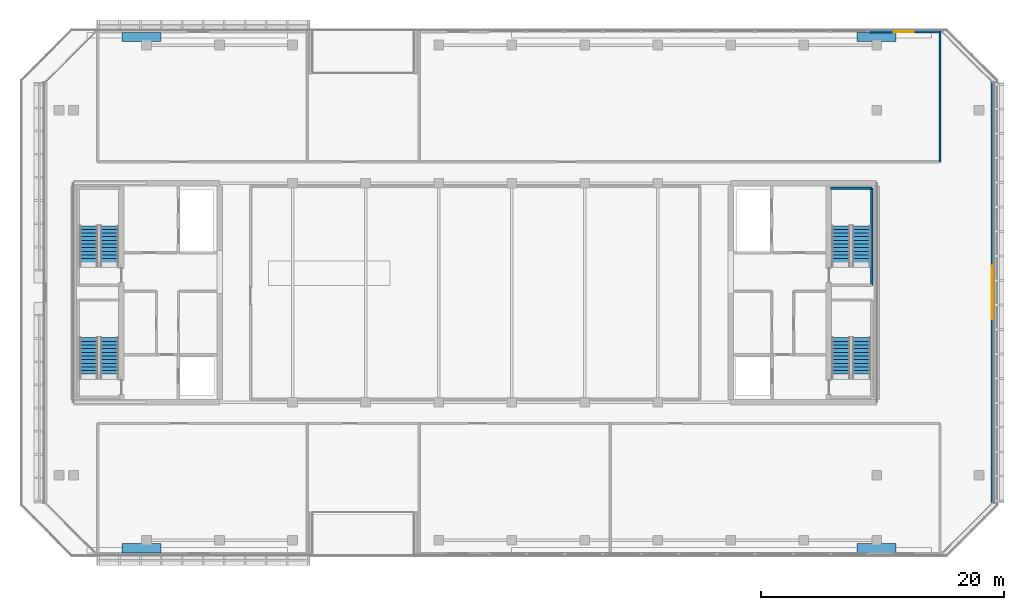
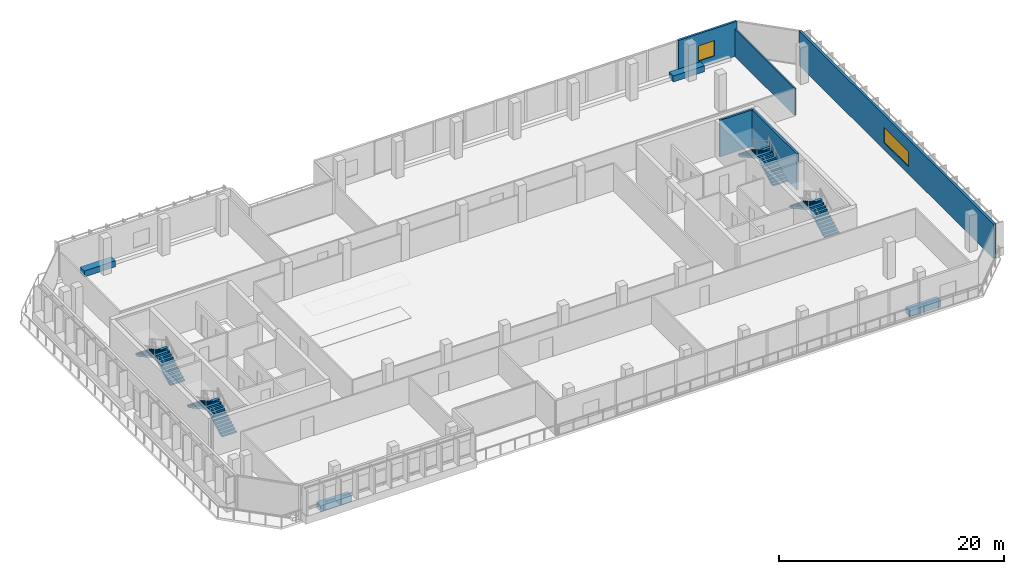
# One storey, part 22 of 26: 8 stair flights, 5 walls, 4 discrete accessories, 2 windows, 2 openings, 4 elements without a shape of their own.
"""IFC4 building model written with IfcOpenShell, lengths in metres."""

from ifc_helpers import new_model, si_unit, direction, frame, frame_2d, origin, origin_2d, place, context, subcontext, project, spatial, polyline, rectangle, outline, extrude, material, layer, layer_set, type_object, element, fill, aggregate, save


model = new_model("IFC4")

# Units and contexts
model_context = context("Model", 3, precision=1e-05, world=origin(), true_north=direction((0.0, 1.0)))
body_context = subcontext(model_context, "Body", "Model", "MODEL_VIEW")
ifc_project = project(units=[si_unit("LENGTHUNIT", "METRE"), si_unit("AREAUNIT", "SQUARE_METRE"), si_unit("VOLUMEUNIT", "CUBIC_METRE"), si_unit("PLANEANGLEUNIT", "RADIAN"), si_unit("MASSUNIT", "GRAM", prefix="KILO")], contexts=[model_context])

# Site, building, storey
site_placement = place(None, origin())
site = spatial("IfcSite", under=ifc_project, at=site_placement, CompositionType="ELEMENT")
building_placement = place(site_placement, origin())
building = spatial("IfcBuilding", under=site, at=building_placement, Name="Tanjung Sevakor Pilgrim Tower", CompositionType="ELEMENT")
storey_placement = place(building_placement, frame((0.0, 0.0, 177.8701171875)))
storey = spatial("IfcBuildingStorey", under=building, at=storey_placement, Name="L49", CompositionType="ELEMENT", Elevation=177.8701171875)

# Wall
ifc_material_1 = material(Name="Concrete C40/50", Category="concrete")
ifc_layer_1 = layer(ifc_material_1, 0.14990234375)
ifc_layer_set_1 = layer_set([ifc_layer_1], Name="WT-COMP-150")
wall_type_1 = type_object("IfcWallType", Name="WT-COMP-150", PredefinedType="SOLIDWALL", material=ifc_layer_set_1)
wall_1_placement = place(storey_placement, frame((95.199951171875, 44.35009765625, 0.0), z_axis=(0.0, 0.0, 1.0), x_axis=(0.0, 1.0, 0.0)))
element("IfcWall", 1, at=wall_1_placement, inside=storey, type_object=wall_type_1, Name="L49 Partition IW-L49-032", PredefinedType="SOLIDWALL", context=body_context, shape_type="SweptSolid", body=[
    extrude(rectangle(XDim=10.699951171875, YDim=0.14990234375, at=frame_2d((5.35009765625, 0.0))), origin(), (0.0, 0.0, 1.0), 2.9599609375),
])

# Wall, opening, window
ifc_material_2 = material(Name="Precast concrete C45/55", Category="concrete")
ifc_layer_2 = layer(ifc_material_2, 0.219970703125)
ifc_layer_set_2 = layer_set([ifc_layer_2], Name="WT-EW-STN4")
wall_type_2 = type_object("IfcWallType", Name="WT-EW-STN4", PredefinedType="SOLIDWALL", material=ifc_layer_set_2)
wall_2_placement = place(storey_placement, frame((99.489990234375, 16.295654296875, 0.0), z_axis=(0.0, 0.0, 1.0), x_axis=(0.0, 1.0, 0.0)))
wall_2 = element("IfcWall", 2, at=wall_2_placement, inside=storey, type_object=wall_type_2, Name="L49 MAIN Exterior Wall 7", PredefinedType="SOLIDWALL", context=body_context, shape_type="SweptSolid", body=[
    extrude(rectangle(XDim=34.608642578125, YDim=0.219970703125, at=frame_2d((17.30419921875, 0.0))), origin(), (0.0, 0.0, 1.0), 3.739990234375),
])
opening_1_placement = place(wall_2_placement, frame((15.1044921875, 0.0, 0.780029296875)))
opening_1 = element("IfcOpeningElement", 3, at=opening_1_placement, cuts=wall_2, Name="Opening WN-ENDW-1660", PredefinedType="OPENING", context=body_context, shape_type="SweptSolid", body=[
    extrude(rectangle(XDim=4.39990234375, YDim=1.659912109375, at=frame_2d((2.199951171875, 0.830078125))), frame((0.0, 0.119873046875, 0.0), z_axis=(0.0, -1.0, 0.0), x_axis=(1.0, 0.0, 0.0)), (0.0, 0.0, 1.0), 0.239990234375),
])
ifc_material_3 = material(Name="Thermally Broken Aluminium and Low-E Glass", Category="aluminium")
window_type_1 = type_object("IfcWindowType", Name="WTYP-WN-ENDW-1660", PartitioningType="DOUBLE_PANEL_VERTICAL", PredefinedType="WINDOW", material=ifc_material_3)
window_1_placement = place(opening_1_placement, origin())
window_1 = element("IfcWindow", 4, at=window_1_placement, inside=storey, type_object=window_type_1, Name="L49 Facade Window 01", OverallHeight=1.659912109375, OverallWidth=4.39990234375, PartitioningType="SINGLE_PANEL", PredefinedType="WINDOW", context=body_context, shape_type="SweptSolid", body=[
    extrude(rectangle(XDim=4.39990234375, YDim=1.659912109375, at=frame_2d((2.199951171875, 0.830078125))), frame((0.0, 0.030029296875, 0.0), z_axis=(0.0, -1.0, 0.0), x_axis=(1.0, 0.0, 0.0)), (0.0, 0.0, 1.0), 0.06005859375),
])
fill(opening_1, window_1)

wall_3_placement = place(storey_placement, frame((95.3544921875, 55.0400390625, 0.0), z_axis=(0.0, 0.0, 1.0), x_axis=(-1.0, 0.0, 0.0)))
wall_3 = element("IfcWall", 5, at=wall_3_placement, inside=storey, type_object=wall_type_2, Name="L49 Sky Lobby Wall N1", PredefinedType="SOLIDWALL", context=body_context, shape_type="SweptSolid", body=[
    extrude(rectangle(XDim=6.0, YDim=0.219970703125, at=frame_2d((3.0, 0.0))), origin(), (0.0, 0.0, 1.0), 3.739990234375),
])
opening_2_placement = place(wall_3_placement, frame((2.292236328125, 0.0, 0.780029296875)))
opening_2 = element("IfcOpeningElement", 6, at=opening_2_placement, cuts=wall_3, Name="Opening WN-Z4-1660", PredefinedType="OPENING", context=body_context, shape_type="SweptSolid", body=[
    extrude(rectangle(XDim=1.64990234375, YDim=1.659912109375, at=frame_2d((0.824951171875, 0.830078125))), frame((0.0, 0.119873046875, 0.0), z_axis=(0.0, -1.0, 0.0), x_axis=(1.0, 0.0, 0.0)), (0.0, 0.0, 1.0), 0.239990234375),
])
ifc_material_4 = material(Name="Thermally Broken Aluminium and Low-E Glass", Category="aluminium")
window_type_2 = type_object("IfcWindowType", Name="WTYP-WN-Z4-1660", PartitioningType="DOUBLE_PANEL_VERTICAL", PredefinedType="WINDOW", material=ifc_material_4)
window_2_placement = place(opening_2_placement, origin())
window_2 = element("IfcWindow", 7, at=window_2_placement, inside=storey, type_object=window_type_2, Name="L49 Facade Window 01", OverallHeight=1.659912109375, OverallWidth=1.64990234375, PartitioningType="SINGLE_PANEL", PredefinedType="WINDOW", context=body_context, shape_type="SweptSolid", body=[
    extrude(rectangle(XDim=1.64990234375, YDim=1.659912109375, at=frame_2d((0.824951171875, 0.830078125))), frame((0.0, 0.030029296875, 0.0), z_axis=(0.0, -1.0, 0.0), x_axis=(1.0, 0.0, 0.0)), (0.0, 0.0, 1.0), 0.06005859375),
])
fill(opening_2, window_2)

# Walls
ifc_material_5 = material(Name="Concrete C40/50", Category="concrete")
ifc_layer_3 = layer(ifc_material_5, 0.199951171875)
ifc_layer_set_3 = layer_set([ifc_layer_3], Name="WT-FIRE-200")
wall_type_3 = type_object("IfcWallType", Name="WT-FIRE-200", PredefinedType="SOLIDWALL", material=ifc_layer_set_3)
wall_4_placement = place(storey_placement, frame((89.60009765625, 34.199951171875, 0.0), z_axis=(0.0, 0.0, 1.0), x_axis=(0.0, 1.0, 0.0)))
element("IfcWall", 8, at=wall_4_placement, inside=storey, type_object=wall_type_3, Name="L49 TS-E2 Shaft Wall 2", PredefinedType="SOLIDWALL", context=body_context, shape_type="SweptSolid", body=[
    extrude(rectangle(XDim=8.0, YDim=0.199951171875, at=frame_2d((4.0, 0.0))), origin(), (0.0, 0.0, 1.0), 3.9599609375),
])
wall_5_placement = place(storey_placement, frame((89.60009765625, 42.199951171875, 0.0), z_axis=(0.0, 0.0, 1.0), x_axis=(-1.0, 0.0, 0.0)))
element("IfcWall", 9, at=wall_5_placement, inside=storey, type_object=wall_type_3, Name="L49 TS-E2 Shaft Wall 3", PredefinedType="SOLIDWALL", context=body_context, shape_type="SweptSolid", body=[
    extrude(rectangle(XDim=3.400146484375, YDim=0.199951171875, at=frame_2d((1.7001953125, 0.0))), origin(), (0.0, 0.0, 1.0), 3.9599609375),
])

# Stair, stair flights
ifc_material_6 = material(Name="Concrete C40/50", Category="concrete")
stair_type = type_object("IfcStairType", Name="STAIR-ST-CR150", PredefinedType="HALF_TURN_STAIR", material=ifc_material_6)
stair_1_placement = place(storey_placement, origin())
stair_1 = element("IfcStair", 10, at=stair_1_placement, inside=storey, type_object=stair_type, Name="L49 West Core Exit Stair 1", PredefinedType="HALF_TURN_STAIR")
ifc_material_7 = material(Name="Concrete C40/50", Category="concrete")
stair_flight_type = type_object("IfcStairFlightType", Name="FLIGHT-ST-CR150", PredefinedType="STRAIGHT", material=ifc_material_7)
stair_flight_1_placement = place(storey_placement, frame((26.949951171875, 26.60009765625, 0.0), z_axis=(0.0, 0.0, 1.0), x_axis=(0.0, 1.0, 0.0)))
stair_flight_1 = element("IfcStairFlight", 11, at=stair_flight_1_placement, type_object=stair_flight_type, Name="TS-W1 flight 1", NumberOfRisers=12, NumberOfTreads=11, PredefinedType="STRAIGHT", RiserHeight=0.165, TreadLength=0.3, context=body_context, shape_type="SweptSolid", body=[
    extrude(outline(polyline([(0.0, 0.0), (0.0, 0.1650390625), (0.300048828125, 0.1650390625), (0.300048828125, 0.330078125), (0.60009765625, 0.330078125), (0.60009765625, 0.4951171875), (0.89990234375, 0.4951171875), (0.89990234375, 0.659912109375), (1.199951171875, 0.659912109375), (1.199951171875, 0.824951171875), (1.5, 0.824951171875), (1.5, 0.989990234375), (1.800048828125, 0.989990234375), (1.800048828125, 1.155029296875), (2.10009765625, 1.155029296875), (2.10009765625, 1.320068359375), (2.39990234375, 1.320068359375), (2.39990234375, 1.485107421875), (2.699951171875, 1.485107421875), (2.699951171875, 1.64990234375), (3.0, 1.64990234375), (3.0, 1.81494140625), (3.300048828125, 1.81494140625), (3.300048828125, 1.97998046875), (3.300048828125, 1.632568359375), (0.331787109375, 0.0), (0.0, 0.0)])), frame((0.0, 0.75, 0.0), z_axis=(0.0, -1.0, 0.0), x_axis=(1.0, 0.0, 0.0)), (0.0, 0.0, 1.0), 1.5),
])
stair_flight_2_placement = place(storey_placement, frame((25.25, 29.89990234375, 1.97998046875), z_axis=(0.0, 0.0, 1.0), x_axis=(0.0, -1.0, 0.0)))
stair_flight_2 = element("IfcStairFlight", 12, at=stair_flight_2_placement, type_object=stair_flight_type, Name="TS-W1 flight 2", NumberOfRisers=12, NumberOfTreads=11, PredefinedType="STRAIGHT", RiserHeight=0.165, TreadLength=0.3, context=body_context, shape_type="SweptSolid", body=[
    extrude(outline(polyline([(0.0, 0.0), (0.0, 0.1650390625), (0.300048828125, 0.1650390625), (0.300048828125, 0.330078125), (0.60009765625, 0.330078125), (0.60009765625, 0.4951171875), (0.89990234375, 0.4951171875), (0.89990234375, 0.659912109375), (1.199951171875, 0.659912109375), (1.199951171875, 0.824951171875), (1.5, 0.824951171875), (1.5, 0.989990234375), (1.800048828125, 0.989990234375), (1.800048828125, 1.155029296875), (2.10009765625, 1.155029296875), (2.10009765625, 1.320068359375), (2.39990234375, 1.320068359375), (2.39990234375, 1.485107421875), (2.699951171875, 1.485107421875), (2.699951171875, 1.64990234375), (3.0, 1.64990234375), (3.0, 1.81494140625), (3.300048828125, 1.81494140625), (3.300048828125, 1.97998046875), (3.300048828125, 1.632568359375), (0.331787109375, 0.0), (0.0, 0.0)])), frame((0.0, 0.75, 0.0), z_axis=(0.0, -1.0, 0.0), x_axis=(1.0, 0.0, 0.0)), (0.0, 0.0, 1.0), 1.5),
])
aggregate(stair_1, [stair_flight_1, stair_flight_2])

stair_2_placement = place(storey_placement, origin())
stair_2 = element("IfcStair", 13, at=stair_2_placement, inside=storey, type_object=stair_type, Name="L49 West Core Exit Stair 2", PredefinedType="HALF_TURN_STAIR")
stair_flight_3_placement = place(storey_placement, frame((26.949951171875, 35.800048828125, 0.0), z_axis=(0.0, 0.0, 1.0), x_axis=(0.0, 1.0, 0.0)))
stair_flight_3 = element("IfcStairFlight", 14, at=stair_flight_3_placement, type_object=stair_flight_type, Name="TS-W2 flight 1", NumberOfRisers=12, NumberOfTreads=11, PredefinedType="STRAIGHT", RiserHeight=0.165, TreadLength=0.3, context=body_context, shape_type="SweptSolid", body=[
    extrude(outline(polyline([(0.0, 0.0), (0.0, 0.1650390625), (0.300048828125, 0.1650390625), (0.300048828125, 0.330078125), (0.60009765625, 0.330078125), (0.60009765625, 0.4951171875), (0.89990234375, 0.4951171875), (0.89990234375, 0.659912109375), (1.199951171875, 0.659912109375), (1.199951171875, 0.824951171875), (1.5, 0.824951171875), (1.5, 0.989990234375), (1.800048828125, 0.989990234375), (1.800048828125, 1.155029296875), (2.10009765625, 1.155029296875), (2.10009765625, 1.320068359375), (2.39990234375, 1.320068359375), (2.39990234375, 1.485107421875), (2.699951171875, 1.485107421875), (2.699951171875, 1.64990234375), (3.0, 1.64990234375), (3.0, 1.81494140625), (3.300048828125, 1.81494140625), (3.300048828125, 1.97998046875), (3.300048828125, 1.632568359375), (0.331787109375, 0.0), (0.0, 0.0)])), frame((0.0, 0.75, 0.0), z_axis=(0.0, -1.0, 0.0), x_axis=(1.0, 0.0, 0.0)), (0.0, 0.0, 1.0), 1.5),
])
stair_flight_4_placement = place(storey_placement, frame((25.25, 39.10009765625, 1.97998046875), z_axis=(0.0, 0.0, 1.0), x_axis=(0.0, -1.0, 0.0)))
stair_flight_4 = element("IfcStairFlight", 15, at=stair_flight_4_placement, type_object=stair_flight_type, Name="TS-W2 flight 2", NumberOfRisers=12, NumberOfTreads=11, PredefinedType="STRAIGHT", RiserHeight=0.165, TreadLength=0.3, context=body_context, shape_type="SweptSolid", body=[
    extrude(outline(polyline([(0.0, 0.0), (0.0, 0.1650390625), (0.300048828125, 0.1650390625), (0.300048828125, 0.330078125), (0.60009765625, 0.330078125), (0.60009765625, 0.4951171875), (0.89990234375, 0.4951171875), (0.89990234375, 0.659912109375), (1.199951171875, 0.659912109375), (1.199951171875, 0.824951171875), (1.5, 0.824951171875), (1.5, 0.989990234375), (1.800048828125, 0.989990234375), (1.800048828125, 1.155029296875), (2.10009765625, 1.155029296875), (2.10009765625, 1.320068359375), (2.39990234375, 1.320068359375), (2.39990234375, 1.485107421875), (2.699951171875, 1.485107421875), (2.699951171875, 1.64990234375), (3.0, 1.64990234375), (3.0, 1.81494140625), (3.300048828125, 1.81494140625), (3.300048828125, 1.97998046875), (3.300048828125, 1.632568359375), (0.331787109375, 0.0), (0.0, 0.0)])), frame((0.0, 0.75, 0.0), z_axis=(0.0, -1.0, 0.0), x_axis=(1.0, 0.0, 0.0)), (0.0, 0.0, 1.0), 1.5),
])
aggregate(stair_2, [stair_flight_3, stair_flight_4])

stair_3_placement = place(storey_placement, origin())
stair_3 = element("IfcStair", 16, at=stair_3_placement, inside=storey, type_object=stair_type, Name="L49 East Core Exit Stair 1", PredefinedType="HALF_TURN_STAIR")
stair_flight_5_placement = place(storey_placement, frame((88.75, 26.60009765625, 0.0), z_axis=(0.0, 0.0, 1.0), x_axis=(0.0, 1.0, 0.0)))
stair_flight_5 = element("IfcStairFlight", 17, at=stair_flight_5_placement, type_object=stair_flight_type, Name="TS-E1 flight 1", NumberOfRisers=12, NumberOfTreads=11, PredefinedType="STRAIGHT", RiserHeight=0.165, TreadLength=0.3, context=body_context, shape_type="SweptSolid", body=[
    extrude(outline(polyline([(0.0, 0.0), (0.0, 0.1650390625), (0.300048828125, 0.1650390625), (0.300048828125, 0.330078125), (0.60009765625, 0.330078125), (0.60009765625, 0.4951171875), (0.89990234375, 0.4951171875), (0.89990234375, 0.659912109375), (1.199951171875, 0.659912109375), (1.199951171875, 0.824951171875), (1.5, 0.824951171875), (1.5, 0.989990234375), (1.800048828125, 0.989990234375), (1.800048828125, 1.155029296875), (2.10009765625, 1.155029296875), (2.10009765625, 1.320068359375), (2.39990234375, 1.320068359375), (2.39990234375, 1.485107421875), (2.699951171875, 1.485107421875), (2.699951171875, 1.64990234375), (3.0, 1.64990234375), (3.0, 1.81494140625), (3.300048828125, 1.81494140625), (3.300048828125, 1.97998046875), (3.300048828125, 1.632568359375), (0.331787109375, 0.0), (0.0, 0.0)])), frame((0.0, 0.75, 0.0), z_axis=(0.0, -1.0, 0.0), x_axis=(1.0, 0.0, 0.0)), (0.0, 0.0, 1.0), 1.5),
])
stair_flight_6_placement = place(storey_placement, frame((87.050048828125, 29.89990234375, 1.97998046875), z_axis=(0.0, 0.0, 1.0), x_axis=(0.0, -1.0, 0.0)))
stair_flight_6 = element("IfcStairFlight", 18, at=stair_flight_6_placement, type_object=stair_flight_type, Name="TS-E1 flight 2", NumberOfRisers=12, NumberOfTreads=11, PredefinedType="STRAIGHT", RiserHeight=0.165, TreadLength=0.3, context=body_context, shape_type="SweptSolid", body=[
    extrude(outline(polyline([(0.0, 0.0), (0.0, 0.1650390625), (0.300048828125, 0.1650390625), (0.300048828125, 0.330078125), (0.60009765625, 0.330078125), (0.60009765625, 0.4951171875), (0.89990234375, 0.4951171875), (0.89990234375, 0.659912109375), (1.199951171875, 0.659912109375), (1.199951171875, 0.824951171875), (1.5, 0.824951171875), (1.5, 0.989990234375), (1.800048828125, 0.989990234375), (1.800048828125, 1.155029296875), (2.10009765625, 1.155029296875), (2.10009765625, 1.320068359375), (2.39990234375, 1.320068359375), (2.39990234375, 1.485107421875), (2.699951171875, 1.485107421875), (2.699951171875, 1.64990234375), (3.0, 1.64990234375), (3.0, 1.81494140625), (3.300048828125, 1.81494140625), (3.300048828125, 1.97998046875), (3.300048828125, 1.632568359375), (0.331787109375, 0.0), (0.0, 0.0)])), frame((0.0, 0.75, 0.0), z_axis=(0.0, -1.0, 0.0), x_axis=(1.0, 0.0, 0.0)), (0.0, 0.0, 1.0), 1.5),
])
aggregate(stair_3, [stair_flight_5, stair_flight_6])

stair_4_placement = place(storey_placement, origin())
stair_4 = element("IfcStair", 19, at=stair_4_placement, inside=storey, type_object=stair_type, Name="L49 East Core Exit Stair 2", PredefinedType="HALF_TURN_STAIR")
stair_flight_7_placement = place(storey_placement, frame((88.75, 35.800048828125, 0.0), z_axis=(0.0, 0.0, 1.0), x_axis=(0.0, 1.0, 0.0)))
stair_flight_7 = element("IfcStairFlight", 20, at=stair_flight_7_placement, type_object=stair_flight_type, Name="TS-E2 flight 1", NumberOfRisers=12, NumberOfTreads=11, PredefinedType="STRAIGHT", RiserHeight=0.165, TreadLength=0.3, context=body_context, shape_type="SweptSolid", body=[
    extrude(outline(polyline([(0.0, 0.0), (0.0, 0.1650390625), (0.300048828125, 0.1650390625), (0.300048828125, 0.330078125), (0.60009765625, 0.330078125), (0.60009765625, 0.4951171875), (0.89990234375, 0.4951171875), (0.89990234375, 0.659912109375), (1.199951171875, 0.659912109375), (1.199951171875, 0.824951171875), (1.5, 0.824951171875), (1.5, 0.989990234375), (1.800048828125, 0.989990234375), (1.800048828125, 1.155029296875), (2.10009765625, 1.155029296875), (2.10009765625, 1.320068359375), (2.39990234375, 1.320068359375), (2.39990234375, 1.485107421875), (2.699951171875, 1.485107421875), (2.699951171875, 1.64990234375), (3.0, 1.64990234375), (3.0, 1.81494140625), (3.300048828125, 1.81494140625), (3.300048828125, 1.97998046875), (3.300048828125, 1.632568359375), (0.331787109375, 0.0), (0.0, 0.0)])), frame((0.0, 0.75, 0.0), z_axis=(0.0, -1.0, 0.0), x_axis=(1.0, 0.0, 0.0)), (0.0, 0.0, 1.0), 1.5),
])
stair_flight_8_placement = place(storey_placement, frame((87.050048828125, 39.10009765625, 1.97998046875), z_axis=(0.0, 0.0, 1.0), x_axis=(0.0, -1.0, 0.0)))
stair_flight_8 = element("IfcStairFlight", 21, at=stair_flight_8_placement, type_object=stair_flight_type, Name="TS-E2 flight 2", NumberOfRisers=12, NumberOfTreads=11, PredefinedType="STRAIGHT", RiserHeight=0.165, TreadLength=0.3, context=body_context, shape_type="SweptSolid", body=[
    extrude(outline(polyline([(0.0, 0.0), (0.0, 0.1650390625), (0.300048828125, 0.1650390625), (0.300048828125, 0.330078125), (0.60009765625, 0.330078125), (0.60009765625, 0.4951171875), (0.89990234375, 0.4951171875), (0.89990234375, 0.659912109375), (1.199951171875, 0.659912109375), (1.199951171875, 0.824951171875), (1.5, 0.824951171875), (1.5, 0.989990234375), (1.800048828125, 0.989990234375), (1.800048828125, 1.155029296875), (2.10009765625, 1.155029296875), (2.10009765625, 1.320068359375), (2.39990234375, 1.320068359375), (2.39990234375, 1.485107421875), (2.699951171875, 1.485107421875), (2.699951171875, 1.64990234375), (3.0, 1.64990234375), (3.0, 1.81494140625), (3.300048828125, 1.81494140625), (3.300048828125, 1.97998046875), (3.300048828125, 1.632568359375), (0.331787109375, 0.0), (0.0, 0.0)])), frame((0.0, 0.75, 0.0), z_axis=(0.0, -1.0, 0.0), x_axis=(1.0, 0.0, 0.0)), (0.0, 0.0, 1.0), 1.5),
])
aggregate(stair_4, [stair_flight_7, stair_flight_8])

# Discrete accessories
ifc_material_8 = material(Name="Reconstructed Limestone Precast C45/55", Category="masonry")
discrete_accessory_type = type_object("IfcDiscreteAccessoryType", Name="ACC-PLANTER-STN1", PredefinedType="USERDEFINED", material=ifc_material_8)
for number, where, z_axis, x_axis, name in (
    (22, (29.60009765625, 12.60009765625, 0.0), (0.0, 0.0, 1.0), (1.0, 0.0, 0.0), "L49 Sky Terrace Stone Planter 037"),
    (23, (29.60009765625, 54.60009765625, 0.0), (0.0, 0.0, 1.0), (1.0, 0.0, 0.0), "L49 Sky Terrace Stone Planter 038"),
    (24, (90.0, 12.60009765625, 0.0), (0.0, 0.0, 1.0), (1.0, 0.0, 0.0), "L49 Sky Terrace Stone Planter 039"),
    (25, (90.0, 54.60009765625, 0.0), (0.0, 0.0, 1.0), (1.0, 0.0, 0.0), "L49 Sky Terrace Stone Planter 040"),
):
    element("IfcDiscreteAccessory", number, at=place(storey_placement, frame(where, z_axis=z_axis, x_axis=x_axis)), inside=storey, type_object=discrete_accessory_type, Name=name, ObjectType="PLANTER", PredefinedType="USERDEFINED", context=body_context, shape_type="SweptSolid", body=[
        extrude(rectangle(XDim=3.199951171875, YDim=0.75, at=origin_2d()), origin(), (0.0, 0.0, 1.0), 0.64990234375),
    ])

save(model, "model.ifc")
